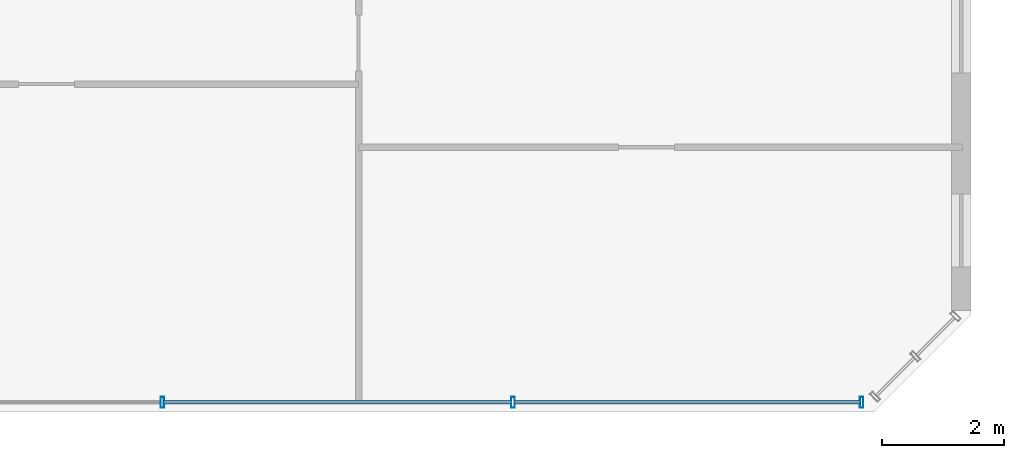
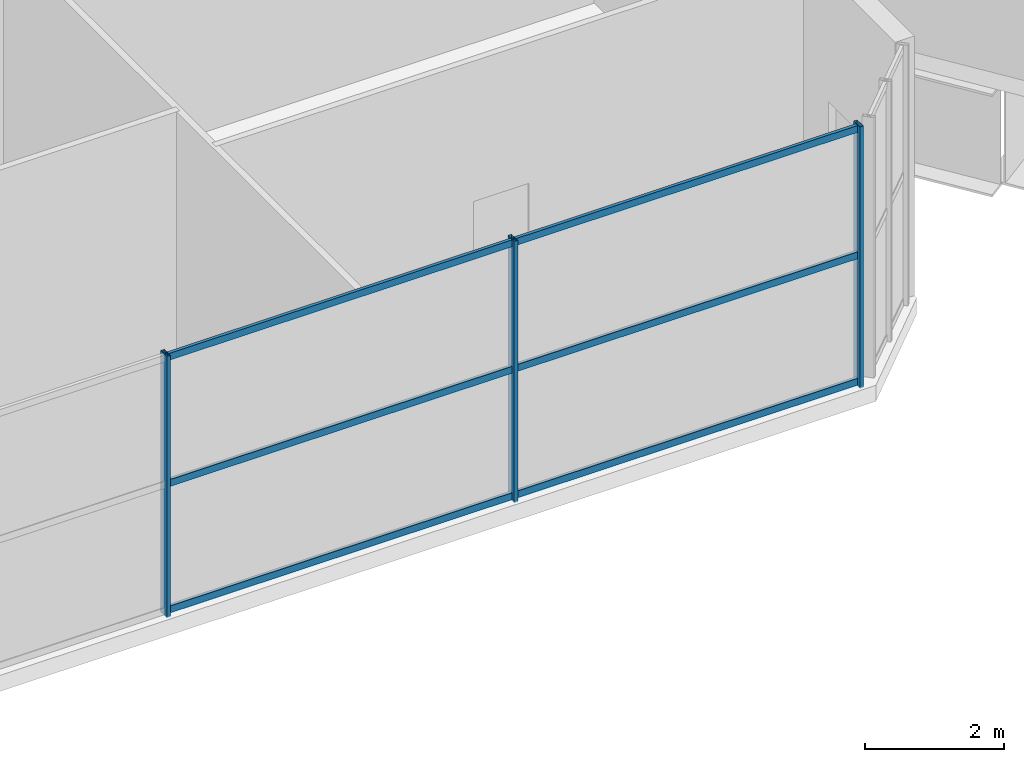
# One storey, part 8 of 26: 9 members, 1 element without a shape of its own.
"""IFC4 building model written with IfcOpenShell, lengths in metres."""

from ifc_helpers import new_model, si_unit, direction, frame, origin, origin_2d, place, context, subcontext, project, spatial, hollow_rectangle, extrude, source, transform, mapped, material, material_profile, profile_set, type_object, element, aggregate, save


model = new_model("IFC4")

# Units and contexts
model_context = context("Model", 3, precision=1e-05, world=origin(), true_north=direction((0.0, 1.0)))
body_context = subcontext(model_context, "Body", "Model", "MODEL_VIEW")
ifc_project = project(units=[si_unit("LENGTHUNIT", "METRE"), si_unit("AREAUNIT", "SQUARE_METRE"), si_unit("VOLUMEUNIT", "CUBIC_METRE"), si_unit("PLANEANGLEUNIT", "RADIAN"), si_unit("MASSUNIT", "GRAM", prefix="KILO")], contexts=[model_context])

# Site, building, storey
site_placement = place(None, origin())
site = spatial("IfcSite", under=ifc_project, at=site_placement, CompositionType="ELEMENT")
building_placement = place(site_placement, origin())
building = spatial("IfcBuilding", under=site, at=building_placement, Name="Tlacorven Tower", CompositionType="ELEMENT")
storey_placement = place(building_placement, frame((0.0, 0.0, 233.699951171875)))
storey = spatial("IfcBuildingStorey", under=building, at=storey_placement, Name="L59", CompositionType="ELEMENT", Elevation=233.699951171875)

# Curtain wall, members
ifc_material_1 = material(Name="Dark solar low-E double glazing in aluminium frame", Category="aluminium")
curtain_wall_type = type_object("IfcCurtainWallType", Name="CW-TWR-HIGH", PredefinedType="USERDEFINED", material=ifc_material_1)
curtain_wall_placement = place(storey_placement, origin())
curtain_wall = element("IfcCurtainWall", 1, at=curtain_wall_placement, inside=storey, type_object=curtain_wall_type, Name="L59 CW-TWR-HIGH Curtain Wall 267", ObjectType="UNITISED CURTAIN WALL", PredefinedType="USERDEFINED")
ifc_material_2 = material(Name="Aluminium 6063-T6 anodised", Category="aluminium")
ifc_material_profile_1 = material_profile(ifc_material_2, hollow_rectangle(XDim=0.054931640625, YDim=0.1201171875, WallThickness=0.00341796875, at=origin_2d()), Name="ALU TRANSOM 55X120")
ifc_profile_set_1 = profile_set([ifc_material_profile_1], Name="Aluminium 6063-T6 anodised")
member_type_1 = type_object("IfcMemberType", Name="CWT-03", PredefinedType="USERDEFINED", material=ifc_profile_set_1)
shared_shape_1 = source(origin(), body_context, "Body", "SweptSolid", [
    extrude(hollow_rectangle(XDim=0.054931640625, YDim=0.1201171875, WallThickness=0.00341796875, at=origin_2d()), origin(), (0.0, 0.0, 1.0), 5.689697265625),
])
member_1_placement = place(storey_placement, frame((50.585693359375, 1.9599609375, 0.06005859375), z_axis=(-1.0, 0.0, 0.0), x_axis=(0.0, -1.0, 0.0)))
member_1 = element("IfcMember", 2, at=member_1_placement, type_object=member_type_1, Name="CW-L59-267 Transom 1", ObjectType="TRANSOM", PredefinedType="USERDEFINED", context=body_context, shape_type="MappedRepresentation", body=[
    mapped(shared_shape_1, transform((0.0, 0.0, 0.0), scale=1.0)),
])
member_2_placement = place(storey_placement, frame((50.585693359375, 1.9599609375, 2.275146484375), z_axis=(-1.0, 0.0, 0.0), x_axis=(0.0, -1.0, 0.0)))
member_2 = element("IfcMember", 3, at=member_2_placement, type_object=member_type_1, Name="CW-L59-267 Transom 2", ObjectType="TRANSOM", PredefinedType="USERDEFINED", context=body_context, shape_type="MappedRepresentation", body=[
    mapped(shared_shape_1, transform((0.0, 0.0, 0.0), scale=1.0)),
])
member_3_placement = place(storey_placement, frame((50.585693359375, 1.9599609375, 4.489990234375), z_axis=(-1.0, 0.0, 0.0), x_axis=(0.0, -1.0, 0.0)))
member_3 = element("IfcMember", 4, at=member_3_placement, type_object=member_type_1, Name="CW-L59-267 Transom 3", ObjectType="TRANSOM", PredefinedType="USERDEFINED", context=body_context, shape_type="MappedRepresentation", body=[
    mapped(shared_shape_1, transform((0.0, 0.0, 0.0), scale=1.0)),
])
shared_shape_2 = source(origin(), body_context, "Body", "SweptSolid", [
    extrude(hollow_rectangle(XDim=0.054931640625, YDim=0.1201171875, WallThickness=0.00341796875, at=origin_2d()), origin(), (0.0, 0.0, 1.0), 5.7197265625),
])
member_4_placement = place(storey_placement, frame((44.85986328125, 1.9599609375, 0.06005859375), z_axis=(-1.0, 0.0, 0.0), x_axis=(0.0, -1.0, 0.0)))
member_4 = element("IfcMember", 5, at=member_4_placement, type_object=member_type_1, Name="CW-L59-267 Transom 4", ObjectType="TRANSOM", PredefinedType="USERDEFINED", context=body_context, shape_type="MappedRepresentation", body=[
    mapped(shared_shape_2, transform((0.0, 0.0, 0.0), scale=1.0)),
])
member_5_placement = place(storey_placement, frame((44.85986328125, 1.9599609375, 2.275146484375), z_axis=(-1.0, 0.0, 0.0), x_axis=(0.0, -1.0, 0.0)))
member_5 = element("IfcMember", 6, at=member_5_placement, type_object=member_type_1, Name="CW-L59-267 Transom 5", ObjectType="TRANSOM", PredefinedType="USERDEFINED", context=body_context, shape_type="MappedRepresentation", body=[
    mapped(shared_shape_2, transform((0.0, 0.0, 0.0), scale=1.0)),
])
member_6_placement = place(storey_placement, frame((44.85986328125, 1.9599609375, 4.489990234375), z_axis=(-1.0, 0.0, 0.0), x_axis=(0.0, -1.0, 0.0)))
member_6 = element("IfcMember", 7, at=member_6_placement, type_object=member_type_1, Name="CW-L59-267 Transom 6", ObjectType="TRANSOM", PredefinedType="USERDEFINED", context=body_context, shape_type="MappedRepresentation", body=[
    mapped(shared_shape_2, transform((0.0, 0.0, 0.0), scale=1.0)),
])
ifc_material_profile_2 = material_profile(ifc_material_2, hollow_rectangle(XDim=0.06005859375, YDim=0.179931640625, WallThickness=0.00390625, at=origin_2d()), Name="ALU MULLION 60X180")
ifc_profile_set_2 = profile_set([ifc_material_profile_2], Name="Aluminium 6063-T6 anodised")
member_type_2 = type_object("IfcMemberType", Name="CWM-03", PredefinedType="MULLION", material=ifc_profile_set_2)
shared_shape_3 = source(origin(), body_context, "Body", "SweptSolid", [
    extrude(hollow_rectangle(XDim=0.06005859375, YDim=0.179931640625, WallThickness=0.00390625, at=origin_2d()), origin(), (0.0, 0.0, 1.0), 4.580078125),
])
member_7_placement = place(storey_placement, frame((50.603759765625, 1.9599609375, -0.02001953125), z_axis=(0.0, 0.0, 1.0), x_axis=(-1.0, 0.0, 0.0)))
member_7 = element("IfcMember", 8, at=member_7_placement, type_object=member_type_2, Name="CW-L59-267 Mullion 1", PredefinedType="MULLION", context=body_context, shape_type="MappedRepresentation", body=[
    mapped(shared_shape_3, transform((0.0, 0.0, 0.0), scale=1.0)),
])
member_8_placement = place(storey_placement, frame((44.8779296875, 1.9599609375, -0.02001953125), z_axis=(0.0, 0.0, 1.0), x_axis=(-1.0, 0.0, 0.0)))
member_8 = element("IfcMember", 9, at=member_8_placement, type_object=member_type_2, Name="CW-L59-267 Mullion 2", PredefinedType="MULLION", context=body_context, shape_type="MappedRepresentation", body=[
    mapped(shared_shape_3, transform((0.0, 0.0, 0.0), scale=1.0)),
])
member_9_placement = place(storey_placement, frame((39.1220703125, 1.9599609375, -0.02001953125), z_axis=(0.0, 0.0, 1.0), x_axis=(-1.0, 0.0, 0.0)))
member_9 = element("IfcMember", 10, at=member_9_placement, type_object=member_type_2, Name="CW-L59-267 Mullion 3", PredefinedType="MULLION", context=body_context, shape_type="MappedRepresentation", body=[
    mapped(shared_shape_3, transform((0.0, 0.0, 0.0), scale=1.0)),
])
aggregate(curtain_wall, [member_7, member_8, member_9, member_1, member_2, member_3, member_4, member_5, member_6])

save(model, "model.ifc")
